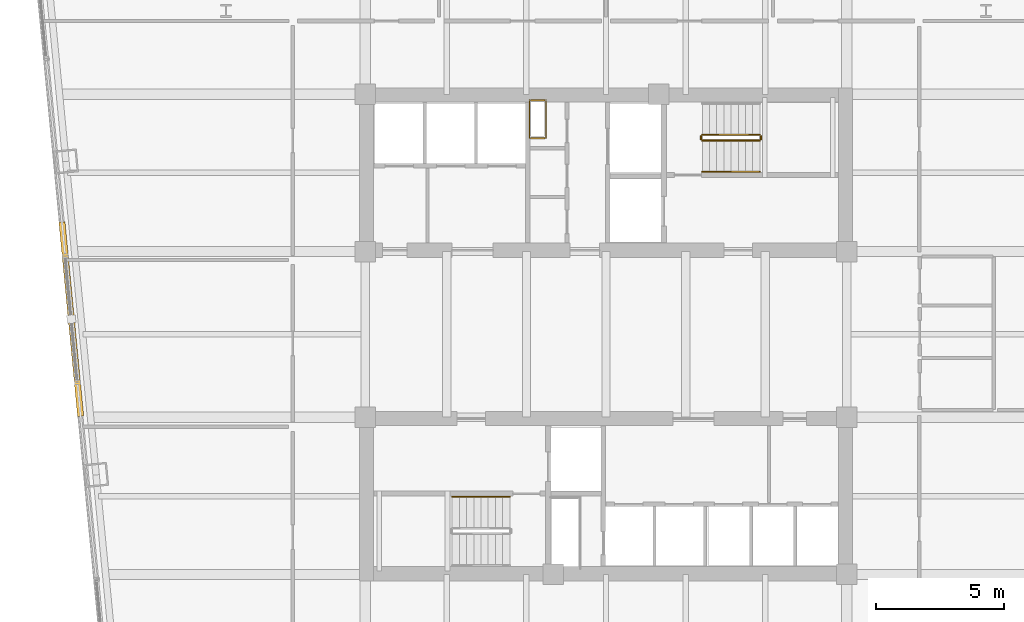
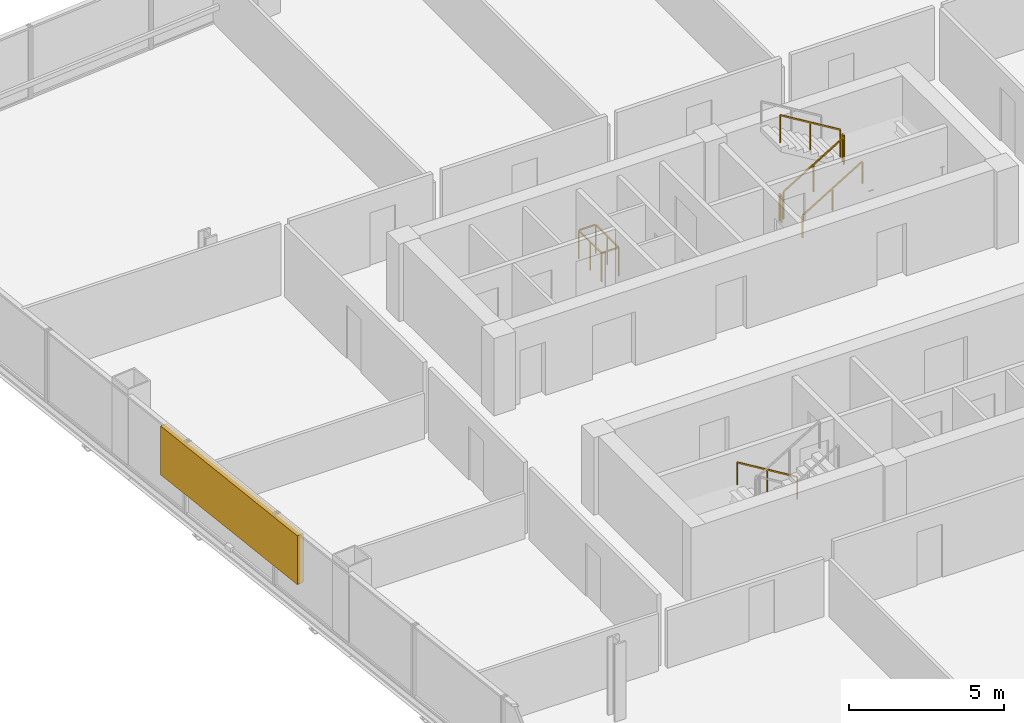
# One storey, part 31 of 32: 7 railings, 1 shading device.
"""IFC4 building model written with IfcOpenShell, lengths in metres."""

from ifc_helpers import new_model, si_unit, direction, frame, origin, origin_2d, place, context, subcontext, project, spatial, rectangle, extrude, material, type_object, element, save


model = new_model("IFC4")

# Units and contexts
model_context = context("Model", 3, precision=1e-05, world=origin(), true_north=direction((0.0, 1.0)))
body_context = subcontext(model_context, "Body", "Model", "MODEL_VIEW")
ifc_project = project(units=[si_unit("LENGTHUNIT", "METRE"), si_unit("AREAUNIT", "SQUARE_METRE"), si_unit("VOLUMEUNIT", "CUBIC_METRE"), si_unit("PLANEANGLEUNIT", "RADIAN"), si_unit("MASSUNIT", "GRAM", prefix="KILO")], contexts=[model_context])

# Site, building, storey
site_placement = place(None, origin())
site = spatial("IfcSite", under=ifc_project, at=site_placement, CompositionType="ELEMENT")
building_placement = place(site_placement, origin())
building = spatial("IfcBuilding", under=site, at=building_placement, Name="Qhalaya Broadcast Tower", CompositionType="ELEMENT")
storey_placement = place(building_placement, frame((0.0, 0.0, 87.75)))
storey = spatial("IfcBuildingStorey", under=building, at=storey_placement, Name="L25", CompositionType="ELEMENT", Elevation=87.75)

# Railings
ifc_material_1 = material(Name="Powder-Coated Galvanised Steel", Category="steel")
railing_type_1 = type_object("IfcRailingType", Name="Stair Wall Handrail 900", PredefinedType="HANDRAIL", material=ifc_material_1)
railing_1_placement = place(storey_placement, frame((3.75, 6.929931640625, 0.16943359375)))
element("IfcRailing", 1, at=railing_1_placement, inside=storey, type_object=railing_type_1, Name="L25 ST-1 Stair Handrail 1", PredefinedType="HANDRAIL", context=body_context, shape_type="SweptSolid", body=[
    extrude(rectangle(XDim=0.048095703125, YDim=0.048095703125, at=origin_2d()), frame((0.0, 0.0, 0.8759765625), z_axis=(0.855553338991, 0.0, 0.51771467445), x_axis=(0.0, 1.0, 0.0)), (0.0, 0.0, 1.0), 2.6181640625),
    extrude(rectangle(XDim=0.0419921875, YDim=0.0419921875, at=origin_2d()), origin(), (0.0, 0.0, 1.0), 0.849853515625),
    extrude(rectangle(XDim=0.0419921875, YDim=0.0419921875, at=origin_2d()), frame((1.1201171875, 0.0, 0.677734375)), (0.0, 0.0, 1.0), 0.849853515625),
    extrude(rectangle(XDim=0.0419921875, YDim=0.0419921875, at=origin_2d()), frame((2.239990234375, 0.0, 1.35546875)), (0.0, 0.0, 1.0), 0.849853515625),
])
railing_2_placement = place(storey_placement, frame((-3.75, -5.72998046875, 0.16943359375)))
element("IfcRailing", 2, at=railing_2_placement, inside=storey, type_object=railing_type_1, Name="L25 ST-2 Stair Handrail 1", PredefinedType="HANDRAIL", context=body_context, shape_type="SweptSolid", body=[
    extrude(rectangle(XDim=0.048095703125, YDim=0.048095703125, at=origin_2d()), frame((0.0, 0.0, 0.8759765625), z_axis=(-0.855553338991, 0.0, 0.51771467445), x_axis=(0.0, -1.0, 0.0)), (0.0, 0.0, 1.0), 2.6181640625),
    extrude(rectangle(XDim=0.0419921875, YDim=0.0419921875, at=origin_2d()), origin(), (0.0, 0.0, 1.0), 0.849853515625),
    extrude(rectangle(XDim=0.0419921875, YDim=0.0419921875, at=origin_2d()), frame((-1.1201171875, 0.0, 0.677734375)), (0.0, 0.0, 1.0), 0.849853515625),
    extrude(rectangle(XDim=0.0419921875, YDim=0.0419921875, at=origin_2d()), frame((-2.239990234375, 0.0, 1.35546875)), (0.0, 0.0, 1.0), 0.849853515625),
])
railing_type_2 = type_object("IfcRailingType", Name="Stair Well & Landing Guardrail 1100", PredefinedType="GUARDRAIL", material=ifc_material_1)
railing_3_placement = place(storey_placement, frame((-2.340087890625, 8.239990234375, 0.0)))
element("IfcRailing", 3, at=railing_3_placement, inside=storey, type_object=railing_type_2, Name="L25 Service Riser Opening Safety Guard NRSR", PredefinedType="GUARDRAIL", context=body_context, shape_type="SweptSolid", body=[
    extrude(rectangle(XDim=0.048095703125, YDim=0.048095703125, at=origin_2d()), frame((0.0, 0.02880859375, 1.1259765625), z_axis=(0.0, 1.0, 0.0), x_axis=(-1.0, 0.0, 0.0)), (0.0, 0.0, 1.0), 1.42236328125),
    extrude(rectangle(XDim=0.048095703125, YDim=0.048095703125, at=origin_2d()), frame((-0.02880859375, 1.47998046875, 1.1259765625), z_axis=(-1.0, 0.0, 0.0), x_axis=(0.0, -1.0, 0.0)), (0.0, 0.0, 1.0), 0.582275390625),
    extrude(rectangle(XDim=0.048095703125, YDim=0.048095703125, at=origin_2d()), frame((-0.639892578125, 1.451171875, 1.1259765625), z_axis=(0.0, -1.0, 0.0), x_axis=(1.0, 0.0, 0.0)), (0.0, 0.0, 1.0), 1.42236328125),
    extrude(rectangle(XDim=0.048095703125, YDim=0.048095703125, at=origin_2d()), frame((-0.611083984375, 0.0, 1.1259765625), z_axis=(1.0, 0.0, 0.0), x_axis=(0.0, 1.0, 0.0)), (0.0, 0.0, 1.0), 0.582275390625),
    extrude(rectangle(XDim=0.0419921875, YDim=0.0419921875, at=origin_2d()), origin(), (0.0, 0.0, 1.0), 1.099853515625),
    extrude(rectangle(XDim=0.0419921875, YDim=0.0419921875, at=origin_2d()), frame((0.0, 0.739990234375, 0.0)), (0.0, 0.0, 1.0), 1.099853515625),
    extrude(rectangle(XDim=0.0419921875, YDim=0.0419921875, at=origin_2d()), frame((0.0, 1.47998046875, 0.0)), (0.0, 0.0, 1.0), 1.099853515625),
    extrude(rectangle(XDim=0.0419921875, YDim=0.0419921875, at=origin_2d()), frame((-0.639892578125, 1.47998046875, 0.0)), (0.0, 0.0, 1.0), 1.099853515625),
    extrude(rectangle(XDim=0.0419921875, YDim=0.0419921875, at=origin_2d()), frame((-0.639892578125, 0.739990234375, 0.0)), (0.0, 0.0, 1.0), 1.099853515625),
    extrude(rectangle(XDim=0.0419921875, YDim=0.0419921875, at=origin_2d()), frame((-0.639892578125, 0.0, 0.0)), (0.0, 0.0, 1.0), 1.099853515625),
])
railing_4_placement = place(storey_placement, frame((3.75, 8.14990234375, 0.16943359375)))
element("IfcRailing", 4, at=railing_4_placement, inside=storey, type_object=railing_type_2, Name="L25 ST-1 Stair Guard 1", PredefinedType="GUARDRAIL", context=body_context, shape_type="SweptSolid", body=[
    extrude(rectangle(XDim=0.048095703125, YDim=0.048095703125, at=origin_2d()), frame((0.0, 0.0, 1.076171875), z_axis=(0.855553338991, 0.0, 0.51771467445), x_axis=(0.0, 1.0, 0.0)), (0.0, 0.0, 1.0), 2.6181640625),
    extrude(rectangle(XDim=0.0419921875, YDim=0.0419921875, at=origin_2d()), origin(), (0.0, 0.0, 1.0), 1.050048828125),
    extrude(rectangle(XDim=0.0419921875, YDim=0.0419921875, at=origin_2d()), frame((1.1201171875, 0.0, 0.677734375)), (0.0, 0.0, 1.0), 1.050048828125),
    extrude(rectangle(XDim=0.0419921875, YDim=0.0419921875, at=origin_2d()), frame((2.239990234375, 0.0, 1.35546875)), (0.0, 0.0, 1.0), 1.050048828125),
])
railing_5_placement = place(storey_placement, frame((6.0400390625, 8.199951171875, 1.52490234375)))
element("IfcRailing", 5, at=railing_5_placement, inside=storey, type_object=railing_type_2, Name="L25 ST-1 Stair Guard 2", PredefinedType="GUARDRAIL", context=body_context, shape_type="SweptSolid", body=[
    extrude(rectangle(XDim=0.048095703125, YDim=0.048095703125, at=origin_2d()), frame((0.0, 0.0, 1.076171875), z_axis=(0.0, 1.0, 0.0), x_axis=(-1.0, 0.0, 0.0)), (0.0, 0.0, 1.0), 0.1201171875),
    extrude(rectangle(XDim=0.0419921875, YDim=0.0419921875, at=origin_2d()), origin(), (0.0, 0.0, 1.0), 1.050048828125),
    extrude(rectangle(XDim=0.0419921875, YDim=0.0419921875, at=origin_2d()), frame((0.0, 0.1201171875, 0.0)), (0.0, 0.0, 1.0), 1.050048828125),
])
railing_6_placement = place(storey_placement, frame((5.989990234375, 8.3701171875, 1.6943359375)))
element("IfcRailing", 6, at=railing_6_placement, inside=storey, type_object=railing_type_2, Name="L25 ST-1 Stair Guard 3", PredefinedType="GUARDRAIL", context=body_context, shape_type="SweptSolid", body=[
    extrude(rectangle(XDim=0.048095703125, YDim=0.048095703125, at=origin_2d()), frame((0.0, 0.0, 1.076171875), z_axis=(-0.855512035549, 0.0, 0.517782924622), x_axis=(0.0, -1.0, 0.0)), (0.0, 0.0, 1.0), 2.618408203125),
    extrude(rectangle(XDim=0.0419921875, YDim=0.0419921875, at=origin_2d()), origin(), (0.0, 0.0, 1.0), 1.050048828125),
    extrude(rectangle(XDim=0.0419921875, YDim=0.0419921875, at=origin_2d()), frame((-1.1201171875, 0.0, 0.677734375)), (0.0, 0.0, 1.0), 1.050048828125),
    extrude(rectangle(XDim=0.0419921875, YDim=0.0419921875, at=origin_2d()), frame((-2.239990234375, 0.0, 1.355712890625)), (0.0, 0.0, 1.0), 1.050048828125),
])
railing_7_placement = place(storey_placement, frame((3.699951171875, 8.199951171875, 0.0)))
element("IfcRailing", 7, at=railing_7_placement, inside=storey, type_object=railing_type_2, Name="L25 ST-1 Stair Guard 4", PredefinedType="GUARDRAIL", context=body_context, shape_type="SweptSolid", body=[
    extrude(rectangle(XDim=0.048095703125, YDim=0.048095703125, at=origin_2d()), frame((0.0, 0.0, 1.076171875), z_axis=(0.0, 1.0, 0.0), x_axis=(-1.0, 0.0, 0.0)), (0.0, 0.0, 1.0), 0.1201171875),
    extrude(rectangle(XDim=0.0419921875, YDim=0.0419921875, at=origin_2d()), origin(), (0.0, 0.0, 1.0), 1.050048828125),
    extrude(rectangle(XDim=0.0419921875, YDim=0.0419921875, at=origin_2d()), frame((0.0, 0.1201171875, 0.0)), (0.0, 0.0, 1.0), 1.050048828125),
])

# Shading device
ifc_material_2 = material(Name="Fired Architectural Terracotta", Category="masonry")
shading_device_type = type_object("IfcShadingDeviceType", Name="Terracotta Baguette Solar Screen Assembly TBS-01", PredefinedType="USERDEFINED", material=ifc_material_2)
shading_device_placement = place(storey_placement, frame((-20.827392578125, 1.193603515625, 0.79248046875), z_axis=(0.0, 0.0, 1.0), x_axis=(0.09584575252, -0.995396198367, 0.0)))
element("IfcShadingDevice", 8, at=shading_device_placement, inside=storey, type_object=shading_device_type, Name="L25 Fired Terracotta Baguette Screen W", ObjectType="BAGUETTE", PredefinedType="USERDEFINED", context=body_context, shape_type="SweptSolid", body=[
    extrude(rectangle(XDim=7.60009765625, YDim=0.239990234375, at=origin_2d()), origin(), (0.0, 0.0, 1.0), 1.924072265625),
])

save(model, "model.ifc")
